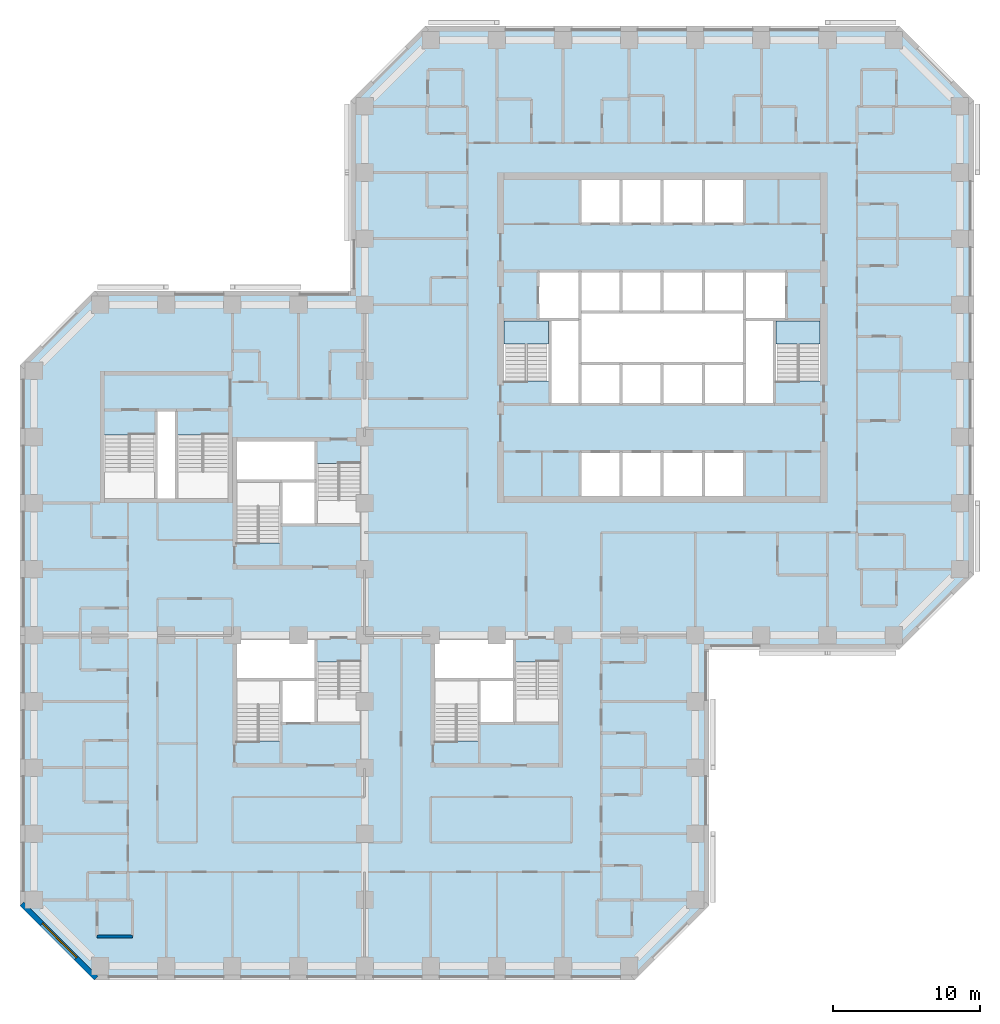
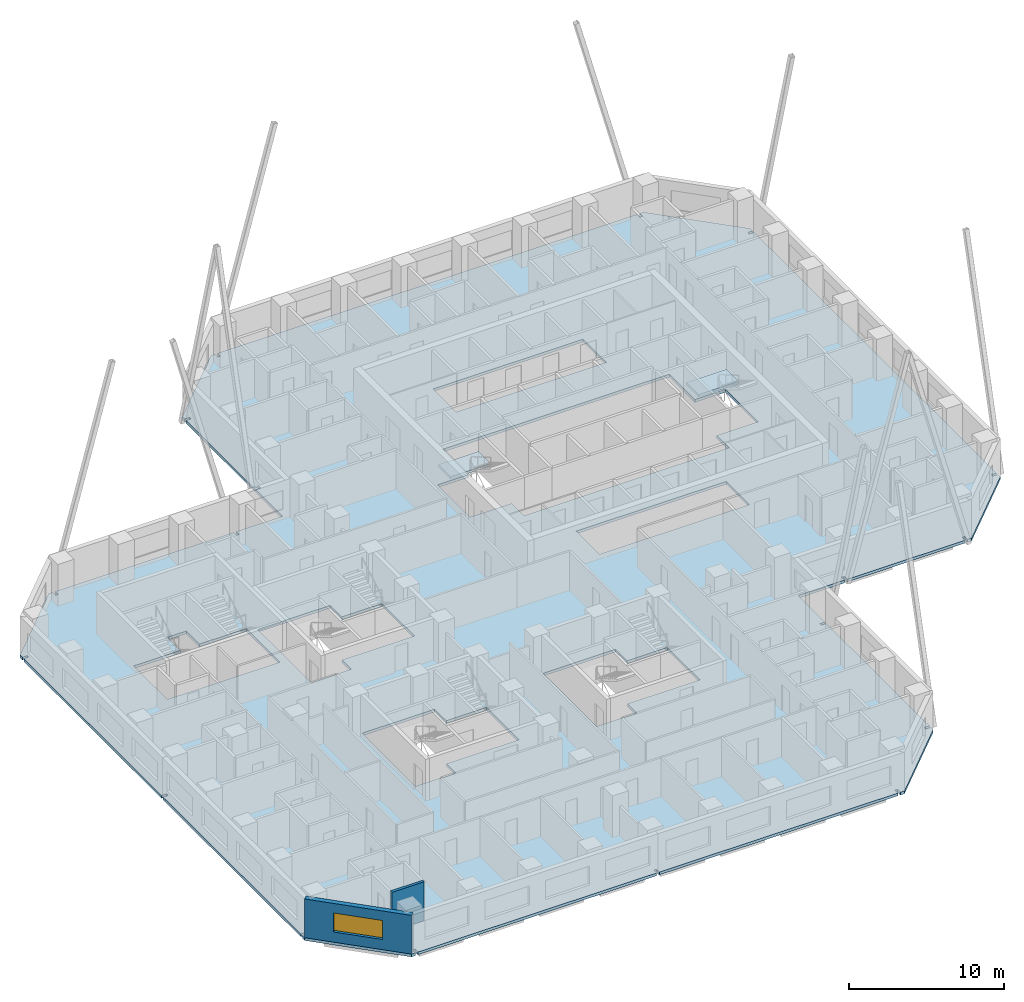
# One storey, part 2 of 14: 3 slabs, 2 walls, 1 window, 1 opening, 2 elements without a shape of their own.
"""IFC4 building model written with IfcOpenShell, lengths in metres."""

from ifc_helpers import new_model, si_unit, direction, frame, frame_2d, origin, place, context, subcontext, project, spatial, polyline, rectangle, outline, extrude, material, layer, layer_set, constituent, constituent_set, type_object, element, fill, aggregate, save


model = new_model("IFC4")

# Units and contexts
model_context = context("Model", 3, precision=1e-05, world=origin(), true_north=direction((0.0, 1.0)))
body_context = subcontext(model_context, "Body", "Model", "MODEL_VIEW")
ifc_project = project(units=[si_unit("LENGTHUNIT", "METRE"), si_unit("AREAUNIT", "SQUARE_METRE"), si_unit("VOLUMEUNIT", "CUBIC_METRE"), si_unit("PLANEANGLEUNIT", "RADIAN"), si_unit("MASSUNIT", "GRAM", prefix="KILO")], contexts=[model_context])

# Site, building, storey
site_placement = place(None, origin())
site = spatial("IfcSite", under=ifc_project, at=site_placement, CompositionType="ELEMENT")
building_placement = place(site_placement, origin())
building = spatial("IfcBuilding", under=site, at=building_placement, Name="Quoin Convention Tower", CompositionType="ELEMENT")
storey_placement = place(building_placement, frame((0.0, 0.0, 66.0)))
storey = spatial("IfcBuildingStorey", under=building, at=storey_placement, Name="L17", CompositionType="ELEMENT", Elevation=66.0)

# Slab
ifc_material_1 = material(Name="Concrete C50", Category="concrete")
ifc_layer_1 = layer(ifc_material_1, 0.219970703125)
ifc_layer_set_1 = layer_set([ifc_layer_1], Name="Concrete C50")
slab_type_1 = type_object("IfcSlabType", Name="RC SLAB 220 C50", PredefinedType="FLOOR", material=ifc_layer_set_1)
slab_1_placement = place(storey_placement, frame((0.0, 0.0, -0.219970703125)))
element("IfcSlab", 1, at=slab_1_placement, inside=storey, type_object=slab_type_1, Name="slb-L17", PredefinedType="FLOOR", context=body_context, shape_type="SweptSolid", body=[
    extrude(outline(polyline([(17.6064453125, 63.949951171875), (17.905029296875, 63.949951171875), (17.905029296875, 63.580078125), (18.094970703125, 63.580078125), (18.094970703125, 63.949951171875), (31.405029296875, 63.949951171875), (31.405029296875, 63.580078125), (31.594970703125, 63.580078125), (31.594970703125, 63.949951171875), (35.050048828125, 63.949951171875), (35.050048828125, 67.405029296875), (35.419921875, 67.405029296875), (35.419921875, 67.594970703125), (35.050048828125, 67.594970703125), (35.050048828125, 76.405029296875), (35.419921875, 76.405029296875), (35.419921875, 76.594970703125), (35.050048828125, 76.594970703125), (35.050048828125, 76.8935546875), (40.1064453125, 81.949951171875), (40.405029296875, 81.949951171875), (40.405029296875, 81.580078125), (40.594970703125, 81.580078125), (40.594970703125, 81.949951171875), (71.905029296875, 81.949951171875), (71.905029296875, 81.580078125), (72.094970703125, 81.580078125), (72.094970703125, 81.949951171875), (72.3935546875, 81.949951171875), (77.449951171875, 76.8935546875), (77.449951171875, 76.594970703125), (77.080078125, 76.594970703125), (77.080078125, 76.405029296875), (77.449951171875, 76.405029296875), (77.449951171875, 45.094970703125), (77.080078125, 45.094970703125), (77.080078125, 44.905029296875), (77.449951171875, 44.905029296875), (77.449951171875, 44.6064453125), (72.3935546875, 39.550048828125), (72.094970703125, 39.550048828125), (72.094970703125, 39.919921875), (71.905029296875, 39.919921875), (71.905029296875, 39.550048828125), (63.094970703125, 39.550048828125), (63.094970703125, 39.919921875), (62.905029296875, 39.919921875), (62.905029296875, 39.550048828125), (59.449951171875, 39.550048828125), (59.449951171875, 36.094970703125), (59.080078125, 36.094970703125), (59.080078125, 35.905029296875), (59.449951171875, 35.905029296875), (59.449951171875, 22.594970703125), (59.080078125, 22.594970703125), (59.080078125, 22.405029296875), (59.449951171875, 22.405029296875), (59.449951171875, 22.1064453125), (54.3935546875, 17.050048828125), (54.094970703125, 17.050048828125), (54.094970703125, 17.419921875), (53.905029296875, 17.419921875), (53.905029296875, 17.050048828125), (36.094970703125, 17.050048828125), (36.094970703125, 17.419921875), (35.905029296875, 17.419921875), (35.905029296875, 17.050048828125), (18.094970703125, 17.050048828125), (18.094970703125, 17.419921875), (17.905029296875, 17.419921875), (17.905029296875, 17.050048828125), (17.6064453125, 17.050048828125), (12.550048828125, 22.1064453125), (12.550048828125, 22.405029296875), (12.919921875, 22.405029296875), (12.919921875, 22.594970703125), (12.550048828125, 22.594970703125), (12.550048828125, 40.405029296875), (12.919921875, 40.405029296875), (12.919921875, 40.594970703125), (12.550048828125, 40.594970703125), (12.550048828125, 58.405029296875), (12.919921875, 58.405029296875), (12.919921875, 58.594970703125), (12.550048828125, 58.594970703125), (12.550048828125, 58.8935546875), (17.6064453125, 63.949951171875)]), holes=[polyline([(30.300048828125, 34.5), (32.699951171875, 34.5), (35.699951171875, 34.5), (35.699951171875, 38.699462890625), (32.699951171875, 38.699462890625), (32.699951171875, 40.199951171875), (27.300048828125, 40.199951171875), (27.300048828125, 37.5), (27.300048828125, 33.300537109375), (30.300048828125, 33.300537109375), (30.300048828125, 34.5)]), polyline([(43.800048828125, 34.5), (46.199951171875, 34.5), (49.199951171875, 34.5), (49.199951171875, 38.699462890625), (46.199951171875, 38.699462890625), (46.199951171875, 40.199951171875), (40.800048828125, 40.199951171875), (40.800048828125, 37.5), (40.800048828125, 33.300537109375), (43.800048828125, 33.300537109375), (43.800048828125, 34.5)]), polyline([(30.300048828125, 46.800537109375), (30.300048828125, 48.0), (32.699951171875, 48.0), (35.699951171875, 48.0), (35.699951171875, 52.199462890625), (32.699951171875, 52.199462890625), (32.699951171875, 53.699951171875), (27.300048828125, 53.699951171875), (27.300048828125, 51.0), (27.300048828125, 46.800537109375), (30.300048828125, 46.800537109375)]), polyline([(56.25, 50.0), (59.050048828125, 50.0), (61.85009765625, 50.0), (61.85009765625, 53.0), (59.050048828125, 53.0), (56.25, 53.0), (53.449951171875, 53.0), (50.64990234375, 53.0), (50.64990234375, 50.0), (53.449951171875, 50.0), (56.25, 50.0)]), polyline([(26.699951171875, 49.800048828125), (26.699951171875, 54.1494140625), (23.199951171875, 54.1494140625), (23.199951171875, 55.85009765625), (21.800048828125, 55.85009765625), (21.800048828125, 54.1494140625), (18.300048828125, 54.1494140625), (18.300048828125, 49.800048828125), (21.800048828125, 49.800048828125), (23.199951171875, 49.800048828125), (26.699951171875, 49.800048828125)]), polyline([(48.60009765625, 57.800537109375), (48.60009765625, 56.199951171875), (50.64990234375, 56.199951171875), (53.449951171875, 56.199951171875), (56.25, 56.199951171875), (59.050048828125, 56.199951171875), (61.85009765625, 56.199951171875), (63.89990234375, 56.199951171875), (63.89990234375, 57.800537109375), (67.0, 57.800537109375), (67.0, 62.0), (64.699951171875, 62.0), (64.699951171875, 65.300048828125), (61.85009765625, 65.300048828125), (59.050048828125, 65.300048828125), (56.25, 65.300048828125), (53.449951171875, 65.300048828125), (50.64990234375, 65.300048828125), (47.800048828125, 65.300048828125), (47.800048828125, 62.0), (45.5, 62.0), (45.5, 57.800537109375), (48.60009765625, 57.800537109375)]), polyline([(61.85009765625, 68.5), (61.85009765625, 71.5), (59.050048828125, 71.5), (56.25, 71.5), (53.449951171875, 71.5), (50.64990234375, 71.5), (50.64990234375, 68.5), (53.449951171875, 68.5), (56.25, 68.5), (59.050048828125, 68.5), (61.85009765625, 68.5)])]), origin(), (0.0, 0.0, 1.0), 0.219970703125),
])

# Stair, slab
ifc_material_2 = material(Name="Concrete C40", Category="concrete")
stair_type = type_object("IfcStairType", Name="Exit stair two-flight 1350", PredefinedType="HALF_TURN_STAIR", material=ifc_material_2)
stair_1_placement = place(storey_placement, origin())
stair_1 = element("IfcStair", 2, at=stair_1_placement, inside=storey, type_object=stair_type, Name="SD1 L17", PredefinedType="HALF_TURN_STAIR")
ifc_layer_2 = layer(ifc_material_2, 0.199951171875)
ifc_layer_set_2 = layer_set([ifc_layer_2], Name="Concrete C40")
slab_type_2 = type_object("IfcSlabType", Name="Stair landing 200", PredefinedType="LANDING", material=ifc_layer_set_2)
slab_2_placement = place(storey_placement, frame((0.0, 0.0, 1.449951171875)))
slab_2 = element("IfcSlab", 3, at=slab_2_placement, type_object=slab_type_2, Name="ST1 landing 1", PredefinedType="LANDING", context=body_context, shape_type="SweptSolid", body=[
    extrude(outline(polyline([(45.5, 60.320068359375), (48.5, 60.320068359375), (48.5, 61.89990234375), (45.5, 61.89990234375), (45.5, 60.320068359375)])), origin(), (0.0, 0.0, 1.0), 0.199951171875),
])
aggregate(stair_1, [slab_2])

stair_2_placement = place(storey_placement, origin())
stair_2 = element("IfcStair", 4, at=stair_2_placement, inside=storey, type_object=stair_type, Name="SD2 L17", PredefinedType="HALF_TURN_STAIR")
slab_3_placement = place(storey_placement, frame((0.0, 0.0, 1.449951171875)))
slab_3 = element("IfcSlab", 5, at=slab_3_placement, type_object=slab_type_2, Name="ST2 landing 1", PredefinedType="LANDING", context=body_context, shape_type="SweptSolid", body=[
    extrude(outline(polyline([(64.0, 60.320068359375), (67.0, 60.320068359375), (67.0, 61.89990234375), (64.0, 61.89990234375), (64.0, 60.320068359375)])), origin(), (0.0, 0.0, 1.0), 0.199951171875),
])
aggregate(stair_2, [slab_3])

# Wall, opening, window
ifc_material_3 = material(Name="Brick masonry", Category="masonry")
ifc_layer_3 = layer(ifc_material_3, 0.35009765625)
ifc_layer_set_3 = layer_set([ifc_layer_3], Name="Brick masonry")
wall_type_1 = type_object("IfcWallType", Name="Brick facade wall", PredefinedType="STANDARD", material=ifc_layer_set_3)
wall_1_placement = place(storey_placement, frame((12.673583984375, 22.230224609375, 0.0), z_axis=(0.0, 0.0, 1.0), x_axis=(0.707106781187, -0.707106781187, 0.0)))
wall_1 = element("IfcWall", 6, at=wall_1_placement, inside=storey, type_object=wall_type_1, Name="fw-L17-13500_22500", PredefinedType="STANDARD", context=body_context, shape_type="SweptSolid", body=[
    extrude(rectangle(XDim=7.151123046875, YDim=0.35009765625, at=frame_2d((3.57568359375, 0.0))), origin(), (0.0, 0.0, 1.0), 3.054931640625),
])
opening_placement = place(wall_1_placement, frame((1.925537109375, 0.0, 0.800048828125)))
opening = element("IfcOpeningElement", 7, at=opening_placement, cuts=wall_1, Name="Opening W-01", PredefinedType="OPENING", context=body_context, shape_type="SweptSolid", body=[
    extrude(rectangle(XDim=3.300048828125, YDim=1.5, at=frame_2d((1.64990234375, 0.75))), frame((0.0, 0.18505859375, 0.0), z_axis=(0.0, -1.0, 0.0), x_axis=(1.0, 0.0, 0.0)), (0.0, 0.0, 1.0), 0.3701171875),
])
ifc_material_4 = material(Name="Aluminium", Category="aluminium")
ifc_constituent_1 = constituent(ifc_material_4, Name="Frame")
ifc_material_5 = material(Name="Insulated glass", Category="glass")
ifc_constituent_2 = constituent(ifc_material_5, Name="Glazing")
ifc_constituent_set = constituent_set(constituents=[ifc_constituent_1, ifc_constituent_2], Name="Aluminium")
window_type = type_object("IfcWindowType", Name="Hotel strip window", PartitioningType="DOUBLE_PANEL_VERTICAL", PredefinedType="WINDOW", material=ifc_constituent_set)
window_placement = place(opening_placement, origin())
window = element("IfcWindow", 8, at=window_placement, inside=storey, type_object=window_type, Name="win-L17-15202_19702", OverallHeight=1.5, OverallWidth=3.300048828125, PartitioningType="SINGLE_PANEL", PredefinedType="WINDOW", context=body_context, shape_type="SweptSolid", body=[
    extrude(rectangle(XDim=3.300048828125, YDim=1.5, at=frame_2d((1.64990234375, 0.75))), frame((0.0, 0.0849609375, 0.0), z_axis=(0.0, -1.0, 0.0), x_axis=(1.0, 0.0, 0.0)), (0.0, 0.0, 1.0), 0.06005859375),
])
fill(opening, window)

# Wall
ifc_layer_4 = layer(ifc_material_1, 0.199951171875)
ifc_layer_set_4 = layer_set([ifc_layer_4], Name="Concrete C50")
wall_type_2 = type_object("IfcWallType", Name="RC party wall", PredefinedType="SOLIDWALL", material=ifc_layer_set_4)
wall_2_placement = place(storey_placement, frame((17.800048828125, 20.0, 0.0), z_axis=(0.0, 0.0, 1.0), x_axis=(1.0, 0.0, 0.0)))
element("IfcWall", 9, at=wall_2_placement, inside=storey, type_object=wall_type_2, Name="pw-L17-041", PredefinedType="SOLIDWALL", context=body_context, shape_type="SweptSolid", body=[
    extrude(rectangle(XDim=2.39990234375, YDim=0.199951171875, at=frame_2d((1.199951171875, 0.0))), origin(), (0.0, 0.0, 1.0), 3.080078125),
])

save(model, "model.ifc")
